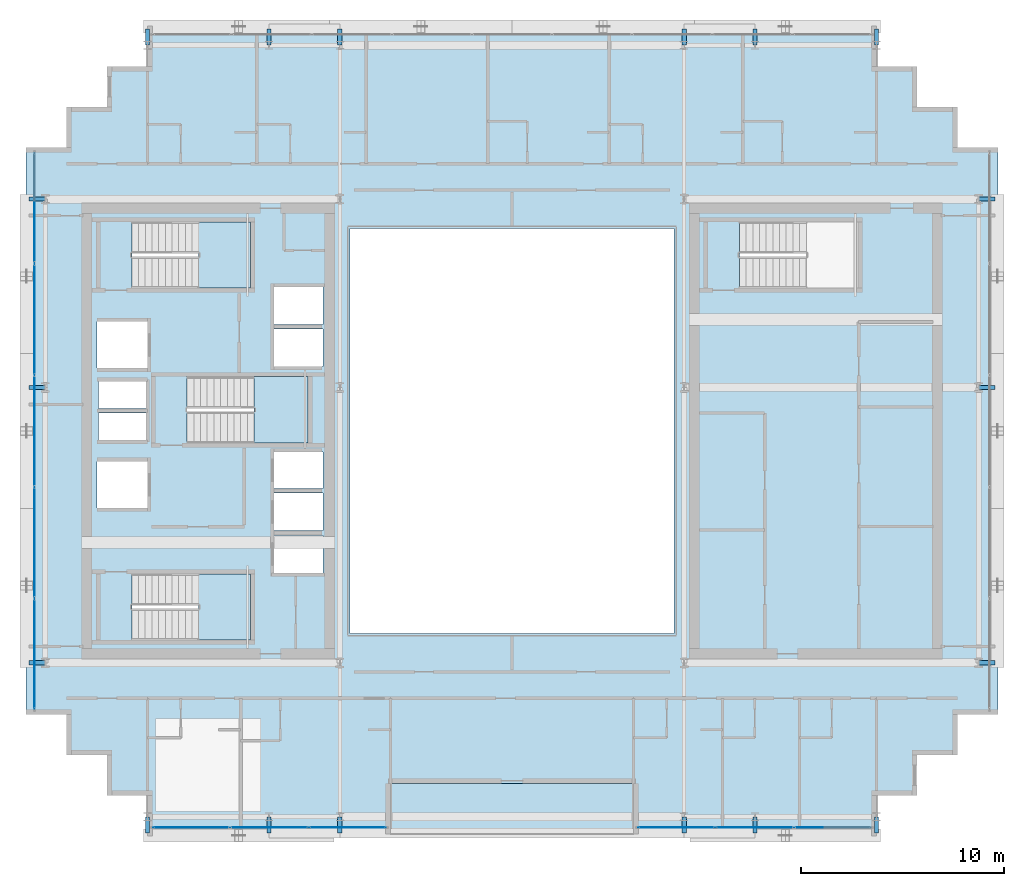
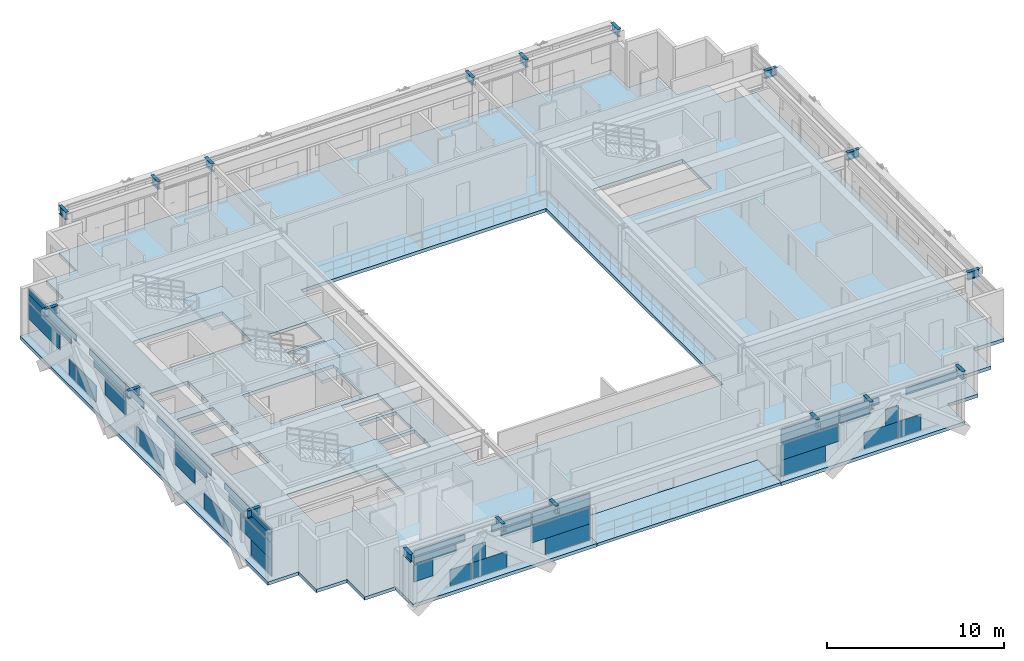
# One storey, part 20 of 31: 40 plates, 18 beams, 5 slabs, 6 elements without a shape of their own.
"""IFC4 building model written with IfcOpenShell, lengths in metres."""

from ifc_helpers import new_model, si_unit, direction, frame, origin, origin_2d, place, context, subcontext, project, spatial, polyline, rectangle, i_section, outline, extrude, source, transform, mapped, material, layer, layer_set, material_profile, profile_set, type_object, element, aggregate, save


model = new_model("IFC4")

# Units and contexts
model_context = context("Model", 3, precision=1e-05, world=origin(), true_north=direction((0.0, 1.0)))
body_context = subcontext(model_context, "Body", "Model", "MODEL_VIEW")
ifc_project = project(units=[si_unit("LENGTHUNIT", "METRE"), si_unit("AREAUNIT", "SQUARE_METRE"), si_unit("VOLUMEUNIT", "CUBIC_METRE"), si_unit("PLANEANGLEUNIT", "RADIAN"), si_unit("MASSUNIT", "GRAM", prefix="KILO")], contexts=[model_context])

# Site, building, storey
site_placement = place(None, origin())
site = spatial("IfcSite", under=ifc_project, at=site_placement, CompositionType="ELEMENT")
building_placement = place(site_placement, origin())
building = spatial("IfcBuilding", under=site, at=building_placement, Name="Ocotamira Hotel", CompositionType="ELEMENT")
storey_placement = place(building_placement, frame((0.0, 0.0, 210.0)))
storey = spatial("IfcBuildingStorey", under=building, at=storey_placement, Name="L53", CompositionType="ELEMENT", Elevation=210.0)

# Beams
ifc_material_1 = material(Name="Steel ASTM A992 Grade 50", Category="steel")
ifc_material_profile = material_profile(ifc_material_1, i_section(OverallWidth=0.2099609375, OverallDepth=0.537109375, WebThickness=0.010986328125, FlangeThickness=0.017333984375, FilletRadius=0.012939453125, at=origin_2d()), Name="W21X68")
ifc_profile_set = profile_set([ifc_material_profile], Name="Steel ASTM A992 Grade 50")
beam_type = type_object("IfcBeamType", Name="BM-SEC-W21X68", PredefinedType="JOIST", material=ifc_profile_set)
shared_shape_1 = source(origin(), body_context, "Body", "SweptSolid", [
    extrude(i_section(OverallWidth=0.2099609375, OverallDepth=0.537109375, WebThickness=0.010986328125, FlangeThickness=0.017333984375, FilletRadius=0.012939453125, at=origin_2d()), origin(), (0.0, 0.0, 1.0), 0.800048828125),
])
for number, where, z_axis, x_axis, name in (
    (1, (14.0, 6.949951171875, 3.1015625), (0.0, -1.0, 0.0), (1.0, 0.0, 0.0), "L53 South Edge Header X14"),
    (2, (14.0, 45.050048828125, 3.1015625), (0.0, 1.0, 0.0), (-1.0, 0.0, 0.0), "L53 North Edge Header X14"),
    (3, (20.0, 6.949951171875, 3.1015625), (0.0, -1.0, 0.0), (1.0, 0.0, 0.0), "L53 South Edge Header X20"),
    (4, (20.0, 45.050048828125, 3.1015625), (0.0, 1.0, 0.0), (-1.0, 0.0, 0.0), "L53 North Edge Header X20"),
    (5, (23.5, 6.949951171875, 3.1015625), (0.0, -1.0, 0.0), (1.0, 0.0, 0.0), "L53 South Edge Header X23.5"),
    (6, (23.5, 45.050048828125, 3.1015625), (0.0, 1.0, 0.0), (-1.0, 0.0, 0.0), "L53 North Edge Header X23.5"),
    (7, (40.5, 6.949951171875, 3.1015625), (0.0, -1.0, 0.0), (1.0, 0.0, 0.0), "L53 South Edge Header X40.5"),
    (8, (40.5, 45.050048828125, 3.1015625), (0.0, 1.0, 0.0), (-1.0, 0.0, 0.0), "L53 North Edge Header X40.5"),
    (9, (44.0, 6.949951171875, 3.1015625), (0.0, -1.0, 0.0), (1.0, 0.0, 0.0), "L53 South Edge Header X44"),
    (10, (44.0, 45.050048828125, 3.1015625), (0.0, 1.0, 0.0), (-1.0, 0.0, 0.0), "L53 North Edge Header X44"),
    (11, (50.0, 6.949951171875, 3.1015625), (0.0, -1.0, 0.0), (1.0, 0.0, 0.0), "L53 South Edge Header X50"),
    (12, (50.0, 45.050048828125, 3.1015625), (0.0, 1.0, 0.0), (-1.0, 0.0, 0.0), "L53 North Edge Header X50"),
    (13, (8.949951171875, 14.550048828125, 3.1015625), (-1.0, 0.0, 0.0), (0.0, -1.0, 0.0), "L53 West Edge Header Y14.55"),
    (14, (55.050048828125, 14.550048828125, 3.1015625), (1.0, 0.0, 0.0), (0.0, 1.0, 0.0), "L53 East Edge Header Y14.55"),
    (15, (8.949951171875, 28.14990234375, 3.1015625), (-1.0, 0.0, 0.0), (0.0, -1.0, 0.0), "L53 West Edge Header Y28.15"),
    (16, (55.050048828125, 28.14990234375, 3.1015625), (1.0, 0.0, 0.0), (0.0, 1.0, 0.0), "L53 East Edge Header Y28.15"),
    (17, (8.949951171875, 37.449951171875, 3.1015625), (-1.0, 0.0, 0.0), (0.0, -1.0, 0.0), "L53 West Edge Header Y37.45"),
    (18, (55.050048828125, 37.449951171875, 3.1015625), (1.0, 0.0, 0.0), (0.0, 1.0, 0.0), "L53 East Edge Header Y37.45"),
):
    element("IfcBeam", number, at=place(storey_placement, frame(where, z_axis=z_axis, x_axis=x_axis)), inside=storey, type_object=beam_type, Name=name, PredefinedType="JOIST", context=body_context, shape_type="MappedRepresentation", body=[
        mapped(shared_shape_1, transform((0.0, 0.0, 0.0), scale=1.0)),
    ])

# Slab
ifc_material_2 = material(Name="Concrete C40/50", Category="concrete")
ifc_layer_1 = layer(ifc_material_2, 0.199951171875)
ifc_layer_set_1 = layer_set([ifc_layer_1], Name="Concrete C40/50")
slab_type_1 = type_object("IfcSlabType", Name="SLB-BAL-200", PredefinedType="FLOOR", material=ifc_layer_set_1)
slab_1_placement = place(storey_placement, frame((0.0, 0.0, -0.199951171875)))
element("IfcSlab", 19, at=slab_1_placement, inside=storey, type_object=slab_type_1, Name="L53 Outdoor Sky Terrace Slab 1", PredefinedType="FLOOR", context=body_context, shape_type="SweptSolid", body=[
    extrude(outline(polyline([(26.0, 6.0), (38.0, 6.0), (38.0, 8.60009765625), (26.0, 8.60009765625), (26.0, 6.0)])), origin(), (0.0, 0.0, 1.0), 0.199951171875),
])

# Stair, slab
stair_type = type_object("IfcStairType", Name="ST-CORE-1560", PredefinedType="HALF_TURN_STAIR", material=ifc_material_2)
stair_1_placement = place(storey_placement, origin())
stair_1 = element("IfcStair", 20, at=stair_1_placement, inside=storey, type_object=stair_type, Name="L53 Exit Stair ST-1", PredefinedType="HALF_TURN_STAIR")
ifc_layer_2 = layer(ifc_material_2, 0.199951171875)
ifc_layer_set_2 = layer_set([ifc_layer_2], Name="Concrete C40/50")
slab_type_2 = type_object("IfcSlabType", Name="SLB-LAND-200", PredefinedType="LANDING", material=ifc_layer_set_2)
slab_2_placement = place(storey_placement, frame((0.0, 0.0, 1.60009765625)))
slab_2 = element("IfcSlab", 21, at=slab_2_placement, type_object=slab_type_2, Name="ST-1 landing 1", PredefinedType="LANDING", context=body_context, shape_type="SweptSolid", body=[
    extrude(outline(polyline([(16.530029296875, 15.669921875), (19.090087890625, 15.669921875), (19.090087890625, 18.949951171875), (16.530029296875, 18.949951171875), (16.530029296875, 15.669921875)])), origin(), (0.0, 0.0, 1.0), 0.199951171875),
])
aggregate(stair_1, [slab_2])

stair_2_placement = place(storey_placement, origin())
stair_2 = element("IfcStair", 22, at=stair_2_placement, inside=storey, type_object=stair_type, Name="L53 Exit Stair ST-2", PredefinedType="HALF_TURN_STAIR")
slab_3_placement = place(storey_placement, frame((0.0, 0.0, 1.60009765625)))
slab_3 = element("IfcSlab", 23, at=slab_3_placement, type_object=slab_type_2, Name="ST-2 landing 1", PredefinedType="LANDING", context=body_context, shape_type="SweptSolid", body=[
    extrude(outline(polyline([(16.530029296875, 33.050048828125), (19.090087890625, 33.050048828125), (19.090087890625, 36.330078125), (16.530029296875, 36.330078125), (16.530029296875, 33.050048828125)])), origin(), (0.0, 0.0, 1.0), 0.199951171875),
])
aggregate(stair_2, [slab_3])

stair_3_placement = place(storey_placement, origin())
stair_3 = element("IfcStair", 24, at=stair_3_placement, inside=storey, type_object=stair_type, Name="L53 Exit Stair ST-3", PredefinedType="HALF_TURN_STAIR")
slab_4_placement = place(storey_placement, frame((0.0, 0.0, 1.60009765625)))
slab_4 = element("IfcSlab", 25, at=slab_4_placement, type_object=slab_type_2, Name="ST-3 landing 1", PredefinedType="LANDING", context=body_context, shape_type="SweptSolid", body=[
    extrude(outline(polyline([(19.260009765625, 25.39990234375), (21.919921875, 25.39990234375), (21.919921875, 28.679931640625), (19.260009765625, 28.679931640625), (19.260009765625, 25.39990234375)])), origin(), (0.0, 0.0, 1.0), 0.199951171875),
])
aggregate(stair_3, [slab_4])

# Slab
ifc_layer_3 = layer(ifc_material_2, 0.22998046875)
ifc_layer_set_3 = layer_set([ifc_layer_3], Name="Concrete C40/50")
slab_type_3 = type_object("IfcSlabType", Name="SLB-Z3-230", PredefinedType="FLOOR", material=ifc_layer_set_3)
slab_5_placement = place(storey_placement, frame((0.0, 0.0, -0.22998046875)))
element("IfcSlab", 26, at=slab_5_placement, inside=storey, type_object=slab_type_3, Name="L53 Structural Floor Slab", PredefinedType="FLOOR", context=body_context, shape_type="SweptSolid", body=[
    extrude(outline(polyline([(14.0, 6.0), (14.0, 8.0), (12.0, 8.0), (12.0, 10.0), (10.0, 10.0), (10.0, 12.0), (8.0, 12.0), (8.0, 40.0), (10.0, 40.0), (10.0, 42.0), (12.0, 42.0), (12.0, 44.0), (14.0, 44.0), (14.0, 46.0), (50.0, 46.0), (50.0, 44.0), (52.0, 44.0), (52.0, 42.0), (54.0, 42.0), (54.0, 40.0), (56.0, 40.0), (56.0, 12.0), (54.0, 12.0), (54.0, 10.0), (52.0, 10.0), (52.0, 8.0), (50.0, 8.0), (50.0, 6.0), (38.0, 6.0), (38.0, 8.60009765625), (26.0, 8.60009765625), (26.0, 6.0), (14.0, 6.0)]), holes=[polyline([(24.0, 16.0), (40.0, 16.0), (40.0, 36.0), (24.0, 36.0), (24.0, 16.0)]), polyline([(13.22998046875, 15.669921875), (19.090087890625, 15.669921875), (19.090087890625, 18.949951171875), (13.22998046875, 18.949951171875), (13.22998046875, 15.669921875)]), polyline([(13.22998046875, 33.050048828125), (19.090087890625, 33.050048828125), (19.090087890625, 36.330078125), (13.22998046875, 36.330078125), (13.22998046875, 33.050048828125)]), polyline([(15.9599609375, 25.39990234375), (21.919921875, 25.39990234375), (21.919921875, 28.679931640625), (15.9599609375, 28.679931640625), (15.9599609375, 25.39990234375)]), polyline([(43.22998046875, 33.050048828125), (49.090087890625, 33.050048828125), (49.090087890625, 36.330078125), (43.22998046875, 36.330078125), (43.22998046875, 33.050048828125)]), polyline([(20.25, 19.0), (22.659912109375, 19.0), (22.659912109375, 20.85009765625), (20.25, 20.85009765625), (20.25, 19.0)]), polyline([(20.25, 21.080078125), (22.659912109375, 21.080078125), (22.659912109375, 22.929931640625), (20.25, 22.929931640625), (20.25, 21.080078125)]), polyline([(20.25, 23.159912109375), (22.659912109375, 23.159912109375), (22.659912109375, 24.9599609375), (20.25, 24.9599609375), (20.25, 23.159912109375)]), polyline([(20.25, 29.179931640625), (22.659912109375, 29.179931640625), (22.659912109375, 31.030029296875), (20.25, 31.030029296875), (20.25, 29.179931640625)]), polyline([(20.25, 31.260009765625), (22.659912109375, 31.260009765625), (22.659912109375, 33.110107421875), (20.25, 33.110107421875), (20.25, 31.260009765625)]), polyline([(11.5, 22.199951171875), (14.0, 22.199951171875), (14.0, 24.5), (11.5, 24.5), (11.5, 22.199951171875)]), polyline([(11.5, 29.10009765625), (14.0, 29.10009765625), (14.0, 31.39990234375), (11.5, 31.39990234375), (11.5, 29.10009765625)]), polyline([(11.580078125, 25.550048828125), (13.919921875, 25.550048828125), (13.919921875, 26.89990234375), (11.580078125, 26.89990234375), (11.580078125, 25.550048828125)]), polyline([(11.580078125, 27.10009765625), (13.919921875, 27.10009765625), (13.919921875, 28.449951171875), (11.580078125, 28.449951171875), (11.580078125, 27.10009765625)])]), origin(), (0.0, 0.0, 1.0), 0.22998046875),
])

# Curtain wall, plates
ifc_material_3 = material(Name="Anodised pale-metal aluminium and solar glass", Category="aluminium")
ifc_layer_4 = layer(ifc_material_3, 0.199951171875)
ifc_layer_set_4 = layer_set([ifc_layer_4], Name="Anodised pale-metal aluminium and solar glass")
curtain_wall_type = type_object("IfcCurtainWallType", Name="CW-SYS4-Z3", PredefinedType="NOTDEFINED", material=ifc_layer_set_4)
curtain_wall_1_placement = place(storey_placement, origin())
curtain_wall_1 = element("IfcCurtainWall", 27, at=curtain_wall_1_placement, inside=storey, type_object=curtain_wall_type, Name="L53 Curtain Wall CW-4 CW-L53-S1", PredefinedType="NOTDEFINED")
ifc_material_4 = material(Name="Double-silver low-E insulated solar glass", Category="glass")
ifc_layer_5 = layer(ifc_material_4, 0.031982421875)
ifc_layer_set_5 = layer_set([ifc_layer_5], Name="Double-silver low-E insulated solar glass")
plate_type = type_object("IfcPlateType", Name="CWP-VISION-32", PredefinedType="CURTAIN_PANEL", material=ifc_layer_set_5)
shared_shape_2 = source(origin(), body_context, "Body", "SweptSolid", [
    extrude(rectangle(XDim=1.251953125, YDim=0.031982421875, at=origin_2d()), origin(), (0.0, 0.0, 1.0), 1.118896484375),
])
plate_1_placement = place(storey_placement, frame((14.906005859375, 6.419921875, 1.19384765625), z_axis=(0.0, 0.0, 1.0), x_axis=(1.0, 0.0, 0.0)))
plate_1 = element("IfcPlate", 28, at=plate_1_placement, type_object=plate_type, Name="CW-4 panel 1.1.1", PredefinedType="CURTAIN_PANEL", context=body_context, shape_type="MappedRepresentation", body=[
    mapped(shared_shape_2, transform((0.0, 0.0, 0.0), scale=1.0)),
])
shared_shape_3 = source(origin(), body_context, "Body", "SweptSolid", [
    extrude(rectangle(XDim=1.390869140625, YDim=0.031982421875, at=origin_2d()), origin(), (0.0, 0.0, 1.0), 1.118896484375),
])
plate_2_placement = place(storey_placement, frame((17.347900390625, 6.419921875, 0.0751953125), z_axis=(0.0, 0.0, 1.0), x_axis=(1.0, 0.0, 0.0)))
plate_2 = element("IfcPlate", 29, at=plate_2_placement, type_object=plate_type, Name="CW-4 panel 1.1.2", PredefinedType="CURTAIN_PANEL", context=body_context, shape_type="MappedRepresentation", body=[
    mapped(shared_shape_3, transform((0.0, 0.0, 0.0), scale=1.0)),
])

# Curtain wall, plate
curtain_wall_2_placement = place(storey_placement, origin())
curtain_wall_2 = element("IfcCurtainWall", 30, at=curtain_wall_2_placement, inside=storey, type_object=curtain_wall_type, Name="L53 Curtain Wall CW-4 CW-L53-S2", PredefinedType="NOTDEFINED")
plate_3_placement = place(storey_placement, frame((46.652099609375, 6.419921875, 0.0751953125), z_axis=(0.0, 0.0, 1.0), x_axis=(1.0, 0.0, 0.0)))
plate_3 = element("IfcPlate", 31, at=plate_3_placement, type_object=plate_type, Name="CW-4 panel 3.1.1", PredefinedType="CURTAIN_PANEL", context=body_context, shape_type="MappedRepresentation", body=[
    mapped(shared_shape_3, transform((0.0, 0.0, 0.0), scale=1.0)),
])

# Plate
shared_shape_4 = source(origin(), body_context, "Body", "SweptSolid", [
    extrude(rectangle(XDim=2.744140625, YDim=0.031982421875, at=origin_2d()), origin(), (0.0, 0.0, 1.0), 0.443603515625),
])
plate_4_placement = place(storey_placement, frame((15.652099609375, 6.419921875, 2.3876953125), z_axis=(0.0, 0.0, 1.0), x_axis=(1.0, 0.0, 0.0)))
plate_4 = element("IfcPlate", 32, at=plate_4_placement, type_object=plate_type, Name="CW-4 panel 1.2.1", PredefinedType="CURTAIN_PANEL", context=body_context, shape_type="MappedRepresentation", body=[
    mapped(shared_shape_4, transform((0.0, 0.0, 0.0), scale=1.0)),
])

shared_shape_5 = source(origin(), body_context, "Body", "SweptSolid", [
    extrude(rectangle(XDim=3.337646484375, YDim=0.031982421875, at=origin_2d()), origin(), (0.0, 0.0, 1.0), 0.4326171875),
])
plate_5_placement = place(storey_placement, frame((15.94873046875, 6.419921875, 2.8623046875), z_axis=(0.0, 0.0, 1.0), x_axis=(1.0, 0.0, 0.0)))
plate_5 = element("IfcPlate", 33, at=plate_5_placement, type_object=plate_type, Name="CW-4 panel 1.2.2", PredefinedType="CURTAIN_PANEL", context=body_context, shape_type="MappedRepresentation", body=[
    mapped(shared_shape_5, transform((0.0, 0.0, 0.0), scale=1.0)),
])

plate_6_placement = place(storey_placement, frame((48.05126953125, 6.419921875, 2.8623046875), z_axis=(0.0, 0.0, 1.0), x_axis=(1.0, 0.0, 0.0)))
plate_6 = element("IfcPlate", 34, at=plate_6_placement, type_object=plate_type, Name="CW-4 panel 3.2.1", PredefinedType="CURTAIN_PANEL", context=body_context, shape_type="MappedRepresentation", body=[
    mapped(shared_shape_5, transform((0.0, 0.0, 0.0), scale=1.0)),
])

shared_shape_6 = source(origin(), body_context, "Body", "SweptSolid", [
    extrude(rectangle(XDim=2.22412109375, YDim=0.031982421875, at=origin_2d()), origin(), (0.0, 0.0, 1.0), 1.118896484375),
])
plate_7_placement = place(storey_placement, frame((19.2353515625, 6.419921875, 0.0751953125), z_axis=(0.0, 0.0, 1.0), x_axis=(1.0, 0.0, 0.0)))
plate_7 = element("IfcPlate", 35, at=plate_7_placement, type_object=plate_type, Name="CW-4 panel 2.1.1", PredefinedType="CURTAIN_PANEL", context=body_context, shape_type="MappedRepresentation", body=[
    mapped(shared_shape_6, transform((0.0, 0.0, 0.0), scale=1.0)),
])

plate_8_placement = place(storey_placement, frame((44.7646484375, 6.419921875, 0.0751953125), z_axis=(0.0, 0.0, 1.0), x_axis=(1.0, 0.0, 0.0)))
plate_8 = element("IfcPlate", 36, at=plate_8_placement, type_object=plate_type, Name="CW-4 panel 2.1.1", PredefinedType="CURTAIN_PANEL", context=body_context, shape_type="MappedRepresentation", body=[
    mapped(shared_shape_6, transform((0.0, 0.0, 0.0), scale=1.0)),
])

shared_shape_7 = source(origin(), body_context, "Body", "SweptSolid", [
    extrude(rectangle(XDim=0.82568359375, YDim=0.031982421875, at=origin_2d()), origin(), (0.0, 0.0, 1.0), 1.118896484375),
])
plate_9_placement = place(storey_placement, frame((18.5361328125, 6.419921875, 1.19384765625), z_axis=(0.0, 0.0, 1.0), x_axis=(1.0, 0.0, 0.0)))
plate_9 = element("IfcPlate", 37, at=plate_9_placement, type_object=plate_type, Name="CW-4 panel 2.1.2", PredefinedType="CURTAIN_PANEL", context=body_context, shape_type="MappedRepresentation", body=[
    mapped(shared_shape_7, transform((0.0, 0.0, 0.0), scale=1.0)),
])

plate_10_placement = place(storey_placement, frame((45.4638671875, 6.419921875, 1.19384765625), z_axis=(0.0, 0.0, 1.0), x_axis=(1.0, 0.0, 0.0)))
plate_10 = element("IfcPlate", 38, at=plate_10_placement, type_object=plate_type, Name="CW-4 panel 2.1.2", PredefinedType="CURTAIN_PANEL", context=body_context, shape_type="MappedRepresentation", body=[
    mapped(shared_shape_7, transform((0.0, 0.0, 0.0), scale=1.0)),
])

shared_shape_8 = source(origin(), body_context, "Body", "SweptSolid", [
    extrude(rectangle(XDim=2.544189453125, YDim=0.031982421875, at=origin_2d()), origin(), (0.0, 0.0, 1.0), 0.4326171875),
])
plate_11_placement = place(storey_placement, frame((20.654541015625, 6.419921875, 2.8623046875), z_axis=(0.0, 0.0, 1.0), x_axis=(1.0, 0.0, 0.0)))
plate_11 = element("IfcPlate", 39, at=plate_11_placement, type_object=plate_type, Name="CW-4 panel 2.2.1", PredefinedType="CURTAIN_PANEL", context=body_context, shape_type="MappedRepresentation", body=[
    mapped(shared_shape_8, transform((0.0, 0.0, 0.0), scale=1.0)),
])

plate_12_placement = place(storey_placement, frame((43.345458984375, 6.419921875, 2.8623046875), z_axis=(0.0, 0.0, 1.0), x_axis=(1.0, 0.0, 0.0)))
plate_12 = element("IfcPlate", 40, at=plate_12_placement, type_object=plate_type, Name="CW-4 panel 2.2.2", PredefinedType="CURTAIN_PANEL", context=body_context, shape_type="MappedRepresentation", body=[
    mapped(shared_shape_8, transform((0.0, 0.0, 0.0), scale=1.0)),
])

shared_shape_9 = source(origin(), body_context, "Body", "SweptSolid", [
    extrude(rectangle(XDim=1.95068359375, YDim=0.031982421875, at=origin_2d()), origin(), (0.0, 0.0, 1.0), 0.443603515625),
])
plate_13_placement = place(storey_placement, frame((20.951416015625, 6.419921875, 2.3876953125), z_axis=(0.0, 0.0, 1.0), x_axis=(1.0, 0.0, 0.0)))
plate_13 = element("IfcPlate", 41, at=plate_13_placement, type_object=plate_type, Name="CW-4 panel 2.2.2", PredefinedType="CURTAIN_PANEL", context=body_context, shape_type="MappedRepresentation", body=[
    mapped(shared_shape_9, transform((0.0, 0.0, 0.0), scale=1.0)),
])

plate_14_placement = place(storey_placement, frame((43.048583984375, 6.419921875, 2.3876953125), z_axis=(0.0, 0.0, 1.0), x_axis=(1.0, 0.0, 0.0)))
plate_14 = element("IfcPlate", 42, at=plate_14_placement, type_object=plate_type, Name="CW-4 panel 2.2.1", PredefinedType="CURTAIN_PANEL", context=body_context, shape_type="MappedRepresentation", body=[
    mapped(shared_shape_9, transform((0.0, 0.0, 0.0), scale=1.0)),
])

shared_shape_10 = source(origin(), body_context, "Body", "SweptSolid", [
    extrude(rectangle(XDim=3.76318359375, YDim=0.031982421875, at=origin_2d()), origin(), (0.0, 0.0, 1.0), 1.118896484375),
])
plate_15_placement = place(storey_placement, frame((23.88818359375, 6.419921875, 1.19384765625), z_axis=(0.0, 0.0, 1.0), x_axis=(1.0, 0.0, 0.0)))
plate_15 = element("IfcPlate", 43, at=plate_15_placement, type_object=plate_type, Name="CW-4 panel 3.1.1", PredefinedType="CURTAIN_PANEL", context=body_context, shape_type="MappedRepresentation", body=[
    mapped(shared_shape_10, transform((0.0, 0.0, 0.0), scale=1.0)),
])

plate_16_placement = place(storey_placement, frame((40.11181640625, 6.419921875, 1.19384765625), z_axis=(0.0, 0.0, 1.0), x_axis=(1.0, 0.0, 0.0)))
plate_16 = element("IfcPlate", 44, at=plate_16_placement, type_object=plate_type, Name="CW-4 panel 1.1.2", PredefinedType="CURTAIN_PANEL", context=body_context, shape_type="MappedRepresentation", body=[
    mapped(shared_shape_10, transform((0.0, 0.0, 0.0), scale=1.0)),
])

shared_shape_11 = source(origin(), body_context, "Body", "SweptSolid", [
    extrude(rectangle(XDim=2.903564453125, YDim=0.031982421875, at=origin_2d()), origin(), (0.0, 0.0, 1.0), 1.118896484375),
])
plate_17_placement = place(storey_placement, frame((24.318359375, 6.419921875, 0.0751953125), z_axis=(0.0, 0.0, 1.0), x_axis=(1.0, 0.0, 0.0)))
plate_17 = element("IfcPlate", 45, at=plate_17_placement, type_object=plate_type, Name="CW-4 panel 3.1.2", PredefinedType="CURTAIN_PANEL", context=body_context, shape_type="MappedRepresentation", body=[
    mapped(shared_shape_11, transform((0.0, 0.0, 0.0), scale=1.0)),
])

plate_18_placement = place(storey_placement, frame((39.681640625, 6.419921875, 0.0751953125), z_axis=(0.0, 0.0, 1.0), x_axis=(1.0, 0.0, 0.0)))
plate_18 = element("IfcPlate", 46, at=plate_18_placement, type_object=plate_type, Name="CW-4 panel 1.1.1", PredefinedType="CURTAIN_PANEL", context=body_context, shape_type="MappedRepresentation", body=[
    mapped(shared_shape_11, transform((0.0, 0.0, 0.0), scale=1.0)),
])

shared_shape_12 = source(origin(), body_context, "Body", "SweptSolid", [
    extrude(rectangle(XDim=3.763427734375, YDim=0.031982421875, at=origin_2d()), origin(), (0.0, 0.0, 1.0), 0.907470703125),
])
plate_19_placement = place(storey_placement, frame((23.888427734375, 6.419921875, 2.3876953125), z_axis=(0.0, 0.0, 1.0), x_axis=(1.0, 0.0, 0.0)))
plate_19 = element("IfcPlate", 47, at=plate_19_placement, type_object=plate_type, Name="CW-4 panel 3.2", PredefinedType="CURTAIN_PANEL", context=body_context, shape_type="MappedRepresentation", body=[
    mapped(shared_shape_12, transform((0.0, 0.0, 0.0), scale=1.0)),
])

aggregate(curtain_wall_1, [plate_1, plate_2, plate_4, plate_5, plate_7, plate_9, plate_11, plate_13, plate_15, plate_17, plate_19])

plate_20_placement = place(storey_placement, frame((40.111572265625, 6.419921875, 2.3876953125), z_axis=(0.0, 0.0, 1.0), x_axis=(1.0, 0.0, 0.0)))
plate_20 = element("IfcPlate", 48, at=plate_20_placement, type_object=plate_type, Name="CW-4 panel 1.2", PredefinedType="CURTAIN_PANEL", context=body_context, shape_type="MappedRepresentation", body=[
    mapped(shared_shape_12, transform((0.0, 0.0, 0.0), scale=1.0)),
])

aggregate(curtain_wall_2, [plate_18, plate_16, plate_20, plate_8, plate_10, plate_14, plate_12, plate_3, plate_6])

# Curtain wall, plates
curtain_wall_3_placement = place(storey_placement, origin())
curtain_wall_3 = element("IfcCurtainWall", 49, at=curtain_wall_3_placement, inside=storey, type_object=curtain_wall_type, Name="L53 Curtain Wall CW-4 CW-L53-W", PredefinedType="NOTDEFINED")
shared_shape_13 = source(origin(), body_context, "Body", "SweptSolid", [
    extrude(rectangle(XDim=2.348388671875, YDim=0.031982421875, at=origin_2d()), origin(), (0.0, 0.0, 1.0), 1.118896484375),
])
plate_21_placement = place(storey_placement, frame((8.419921875, 13.4541015625, 0.0751953125), z_axis=(0.0, 0.0, 1.0), x_axis=(0.0, 1.0, 0.0)))
plate_21 = element("IfcPlate", 50, at=plate_21_placement, type_object=plate_type, Name="CW-4 panel 1.1.1", PredefinedType="CURTAIN_PANEL", context=body_context, shape_type="MappedRepresentation", body=[
    mapped(shared_shape_13, transform((0.0, 0.0, 0.0), scale=1.0)),
])
shared_shape_14 = source(origin(), body_context, "Body", "SweptSolid", [
    extrude(rectangle(XDim=3.534423828125, YDim=0.031982421875, at=origin_2d()), origin(), (0.0, 0.0, 1.0), 1.118896484375),
])
plate_22_placement = place(storey_placement, frame((8.419921875, 14.047119140625, 1.19384765625), z_axis=(0.0, 0.0, 1.0), x_axis=(0.0, 1.0, 0.0)))
plate_22 = element("IfcPlate", 51, at=plate_22_placement, type_object=plate_type, Name="CW-4 panel 1.1.2", PredefinedType="CURTAIN_PANEL", context=body_context, shape_type="MappedRepresentation", body=[
    mapped(shared_shape_14, transform((0.0, 0.0, 0.0), scale=1.0)),
])
plate_23_placement = place(storey_placement, frame((8.419921875, 37.952880859375, 1.19384765625), z_axis=(0.0, 0.0, 1.0), x_axis=(0.0, 1.0, 0.0)))
plate_23 = element("IfcPlate", 52, at=plate_23_placement, type_object=plate_type, Name="CW-4 panel 5.1.2", PredefinedType="CURTAIN_PANEL", context=body_context, shape_type="MappedRepresentation", body=[
    mapped(shared_shape_14, transform((0.0, 0.0, 0.0), scale=1.0)),
])
shared_shape_15 = source(origin(), body_context, "Body", "SweptSolid", [
    extrude(rectangle(XDim=0.845458984375, YDim=0.031982421875, at=origin_2d()), origin(), (0.0, 0.0, 1.0), 1.118896484375),
])
plate_24_placement = place(storey_placement, frame((8.419921875, 17.25732421875, 0.0751953125), z_axis=(0.0, 0.0, 1.0), x_axis=(0.0, 1.0, 0.0)))
plate_24 = element("IfcPlate", 53, at=plate_24_placement, type_object=plate_type, Name="CW-4 panel 1.1.3", PredefinedType="CURTAIN_PANEL", context=body_context, shape_type="MappedRepresentation", body=[
    mapped(shared_shape_15, transform((0.0, 0.0, 0.0), scale=1.0)),
])
plate_25_placement = place(storey_placement, frame((8.419921875, 34.74267578125, 0.0751953125), z_axis=(0.0, 0.0, 1.0), x_axis=(0.0, 1.0, 0.0)))
plate_25 = element("IfcPlate", 54, at=plate_25_placement, type_object=plate_type, Name="CW-4 panel 5.1.1", PredefinedType="CURTAIN_PANEL", context=body_context, shape_type="MappedRepresentation", body=[
    mapped(shared_shape_15, transform((0.0, 0.0, 0.0), scale=1.0)),
])
shared_shape_16 = source(origin(), body_context, "Body", "SweptSolid", [
    extrude(rectangle(XDim=4.7998046875, YDim=0.031982421875, at=origin_2d()), origin(), (0.0, 0.0, 1.0), 0.4951171875),
])
plate_26_placement = place(storey_placement, frame((8.419921875, 14.679931640625, 2.387451171875), z_axis=(0.0, 0.0, 1.0), x_axis=(0.0, 1.0, 0.0)))
plate_26 = element("IfcPlate", 55, at=plate_26_placement, type_object=plate_type, Name="CW-4 panel 1.2.1", PredefinedType="CURTAIN_PANEL", context=body_context, shape_type="MappedRepresentation", body=[
    mapped(shared_shape_16, transform((0.0, 0.0, 0.0), scale=1.0)),
])
plate_27_placement = place(storey_placement, frame((8.419921875, 37.320068359375, 2.387451171875), z_axis=(0.0, 0.0, 1.0), x_axis=(0.0, 1.0, 0.0)))
plate_27 = element("IfcPlate", 56, at=plate_27_placement, type_object=plate_type, Name="CW-4 panel 5.2.2", PredefinedType="CURTAIN_PANEL", context=body_context, shape_type="MappedRepresentation", body=[
    mapped(shared_shape_16, transform((0.0, 0.0, 0.0), scale=1.0)),
])
shared_shape_17 = source(origin(), body_context, "Body", "SweptSolid", [
    extrude(rectangle(XDim=5.32470703125, YDim=0.031982421875, at=origin_2d()), origin(), (0.0, 0.0, 1.0), 0.41259765625),
])
plate_28_placement = place(storey_placement, frame((8.419921875, 14.9423828125, 2.882568359375), z_axis=(0.0, 0.0, 1.0), x_axis=(0.0, 1.0, 0.0)))
plate_28 = element("IfcPlate", 57, at=plate_28_placement, type_object=plate_type, Name="CW-4 panel 1.2.2", PredefinedType="CURTAIN_PANEL", context=body_context, shape_type="MappedRepresentation", body=[
    mapped(shared_shape_17, transform((0.0, 0.0, 0.0), scale=1.0)),
])
plate_29_placement = place(storey_placement, frame((8.419921875, 37.0576171875, 2.882568359375), z_axis=(0.0, 0.0, 1.0), x_axis=(0.0, 1.0, 0.0)))
plate_29 = element("IfcPlate", 58, at=plate_29_placement, type_object=plate_type, Name="CW-4 panel 5.2.1", PredefinedType="CURTAIN_PANEL", context=body_context, shape_type="MappedRepresentation", body=[
    mapped(shared_shape_17, transform((0.0, 0.0, 0.0), scale=1.0)),
])
shared_shape_18 = source(origin(), body_context, "Body", "SweptSolid", [
    extrude(rectangle(XDim=2.138671875, YDim=0.031982421875, at=origin_2d()), origin(), (0.0, 0.0, 1.0), 1.118896484375),
])
plate_30_placement = place(storey_placement, frame((8.419921875, 18.829345703125, 0.0751953125), z_axis=(0.0, 0.0, 1.0), x_axis=(0.0, 1.0, 0.0)))
plate_30 = element("IfcPlate", 59, at=plate_30_placement, type_object=plate_type, Name="CW-4 panel 2.1.1", PredefinedType="CURTAIN_PANEL", context=body_context, shape_type="MappedRepresentation", body=[
    mapped(shared_shape_18, transform((0.0, 0.0, 0.0), scale=1.0)),
])
plate_31_placement = place(storey_placement, frame((8.419921875, 33.170654296875, 0.0751953125), z_axis=(0.0, 0.0, 1.0), x_axis=(0.0, 1.0, 0.0)))
plate_31 = element("IfcPlate", 60, at=plate_31_placement, type_object=plate_type, Name="CW-4 panel 4.1.2", PredefinedType="CURTAIN_PANEL", context=body_context, shape_type="MappedRepresentation", body=[
    mapped(shared_shape_18, transform((0.0, 0.0, 0.0), scale=1.0)),
])
shared_shape_19 = source(origin(), body_context, "Body", "SweptSolid", [
    extrude(rectangle(XDim=2.281005859375, YDim=0.031982421875, at=origin_2d()), origin(), (0.0, 0.0, 1.0), 1.118896484375),
])
plate_32_placement = place(storey_placement, frame((8.419921875, 22.059326171875, 1.19384765625), z_axis=(0.0, 0.0, 1.0), x_axis=(0.0, 1.0, 0.0)))
plate_32 = element("IfcPlate", 61, at=plate_32_placement, type_object=plate_type, Name="CW-4 panel 2.1.2", PredefinedType="CURTAIN_PANEL", context=body_context, shape_type="MappedRepresentation", body=[
    mapped(shared_shape_19, transform((0.0, 0.0, 0.0), scale=1.0)),
])
plate_33_placement = place(storey_placement, frame((8.419921875, 29.940673828125, 1.19384765625), z_axis=(0.0, 0.0, 1.0), x_axis=(0.0, 1.0, 0.0)))
plate_33 = element("IfcPlate", 62, at=plate_33_placement, type_object=plate_type, Name="CW-4 panel 4.1.1", PredefinedType="CURTAIN_PANEL", context=body_context, shape_type="MappedRepresentation", body=[
    mapped(shared_shape_19, transform((0.0, 0.0, 0.0), scale=1.0)),
])
shared_shape_20 = source(origin(), body_context, "Body", "SweptSolid", [
    extrude(rectangle(XDim=4.071533203125, YDim=0.031982421875, at=origin_2d()), origin(), (0.0, 0.0, 1.0), 0.41259765625),
])
plate_34_placement = place(storey_placement, frame((8.419921875, 21.164306640625, 2.882568359375), z_axis=(0.0, 0.0, 1.0), x_axis=(0.0, 1.0, 0.0)))
plate_34 = element("IfcPlate", 63, at=plate_34_placement, type_object=plate_type, Name="CW-4 panel 2.2.1", PredefinedType="CURTAIN_PANEL", context=body_context, shape_type="MappedRepresentation", body=[
    mapped(shared_shape_20, transform((0.0, 0.0, 0.0), scale=1.0)),
])
plate_35_placement = place(storey_placement, frame((8.419921875, 30.835693359375, 2.882568359375), z_axis=(0.0, 0.0, 1.0), x_axis=(0.0, 1.0, 0.0)))
plate_35 = element("IfcPlate", 64, at=plate_35_placement, type_object=plate_type, Name="CW-4 panel 4.2.2", PredefinedType="CURTAIN_PANEL", context=body_context, shape_type="MappedRepresentation", body=[
    mapped(shared_shape_20, transform((0.0, 0.0, 0.0), scale=1.0)),
])
shared_shape_21 = source(origin(), body_context, "Body", "SweptSolid", [
    extrude(rectangle(XDim=3.546630859375, YDim=0.031982421875, at=origin_2d()), origin(), (0.0, 0.0, 1.0), 0.460693359375),
])
plate_36_placement = place(storey_placement, frame((8.419921875, 21.426513671875, 2.3876953125), z_axis=(0.0, 0.0, 1.0), x_axis=(0.0, 1.0, 0.0)))
plate_36 = element("IfcPlate", 65, at=plate_36_placement, type_object=plate_type, Name="CW-4 panel 2.2.2", PredefinedType="CURTAIN_PANEL", context=body_context, shape_type="MappedRepresentation", body=[
    mapped(shared_shape_21, transform((0.0, 0.0, 0.0), scale=1.0)),
])
plate_37_placement = place(storey_placement, frame((8.419921875, 30.573486328125, 2.3876953125), z_axis=(0.0, 0.0, 1.0), x_axis=(0.0, 1.0, 0.0)))
plate_37 = element("IfcPlate", 66, at=plate_37_placement, type_object=plate_type, Name="CW-4 panel 4.2.1", PredefinedType="CURTAIN_PANEL", context=body_context, shape_type="MappedRepresentation", body=[
    mapped(shared_shape_21, transform((0.0, 0.0, 0.0), scale=1.0)),
])
shared_shape_22 = source(origin(), body_context, "Body", "SweptSolid", [
    extrude(rectangle(XDim=3.064208984375, YDim=0.031982421875, at=origin_2d()), origin(), (0.0, 0.0, 1.0), 1.118896484375),
])
plate_38_placement = place(storey_placement, frame((8.419921875, 26.0, 0.0751953125), z_axis=(0.0, 0.0, 1.0), x_axis=(0.0, 1.0, 0.0)))
plate_38 = element("IfcPlate", 67, at=plate_38_placement, type_object=plate_type, Name="CW-4 panel 3.1.1", PredefinedType="CURTAIN_PANEL", context=body_context, shape_type="MappedRepresentation", body=[
    mapped(shared_shape_22, transform((0.0, 0.0, 0.0), scale=1.0)),
])
shared_shape_23 = source(origin(), body_context, "Body", "SweptSolid", [
    extrude(rectangle(XDim=1.958251953125, YDim=0.031982421875, at=origin_2d()), origin(), (0.0, 0.0, 1.0), 0.41259765625),
])
plate_39_placement = place(storey_placement, frame((8.419921875, 24.259033203125, 2.882568359375), z_axis=(0.0, 0.0, 1.0), x_axis=(0.0, 1.0, 0.0)))
plate_39 = element("IfcPlate", 68, at=plate_39_placement, type_object=plate_type, Name="CW-4 panel 3.2.1", PredefinedType="CURTAIN_PANEL", context=body_context, shape_type="MappedRepresentation", body=[
    mapped(shared_shape_23, transform((0.0, 0.0, 0.0), scale=1.0)),
])
plate_40_placement = place(storey_placement, frame((8.419921875, 27.740966796875, 2.882568359375), z_axis=(0.0, 0.0, 1.0), x_axis=(0.0, 1.0, 0.0)))
plate_40 = element("IfcPlate", 69, at=plate_40_placement, type_object=plate_type, Name="CW-4 panel 3.2.2", PredefinedType="CURTAIN_PANEL", context=body_context, shape_type="MappedRepresentation", body=[
    mapped(shared_shape_23, transform((0.0, 0.0, 0.0), scale=1.0)),
])
aggregate(curtain_wall_3, [plate_21, plate_22, plate_24, plate_26, plate_28, plate_30, plate_32, plate_34, plate_36, plate_38, plate_39, plate_40, plate_33, plate_31, plate_37, plate_35, plate_25, plate_23, plate_29, plate_27])

save(model, "model.ifc")
